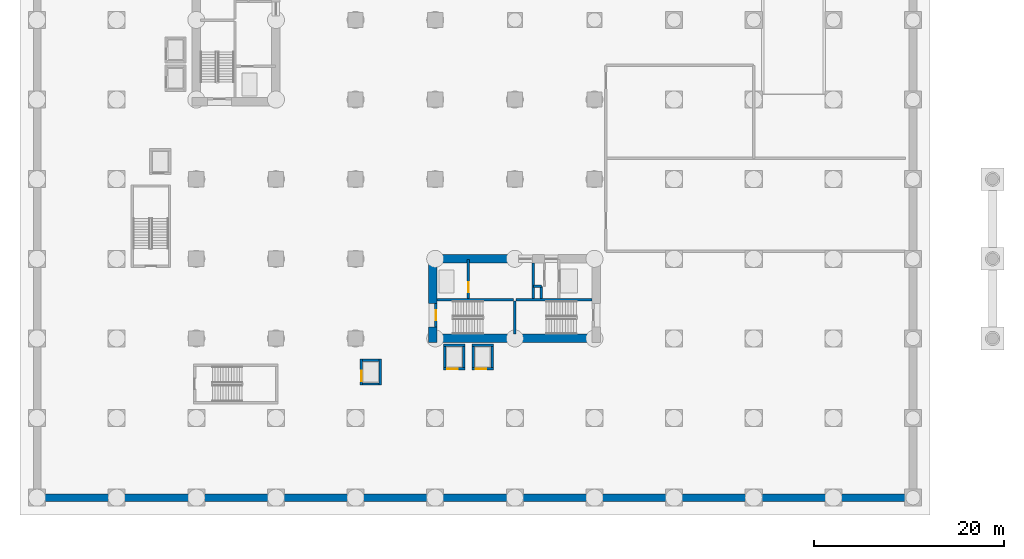
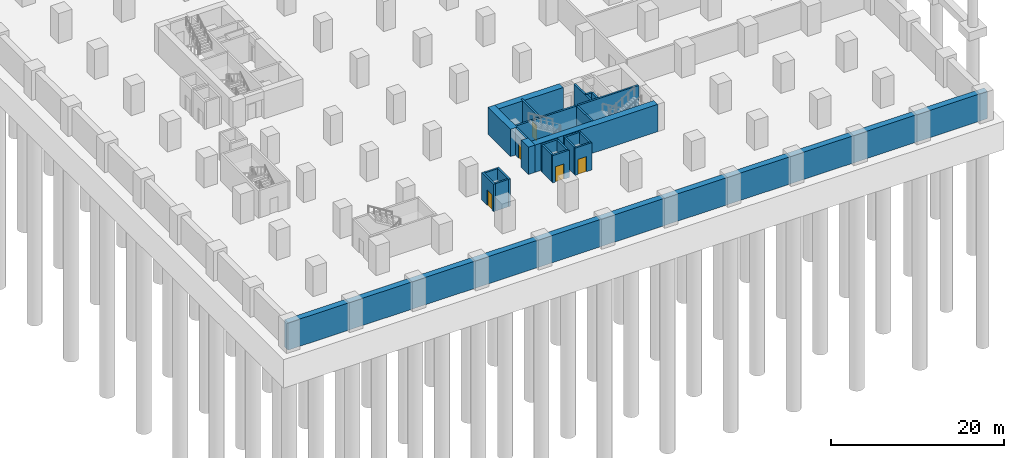
# One storey, part 4 of 12: 25 walls, 5 doors, 5 openings.
"""IFC4 building model written with IfcOpenShell, lengths in metres."""

from ifc_helpers import new_model, si_unit, direction, frame, frame_2d, origin, place, context, subcontext, project, spatial, rectangle, extrude, material, layer, layer_set, type_object, element, fill, save


model = new_model("IFC4")

# Units and contexts
model_context = context("Model", 3, precision=1e-05, world=origin(), true_north=direction((0.0, 1.0)))
body_context = subcontext(model_context, "Body", "Model", "MODEL_VIEW")
ifc_project = project(units=[si_unit("LENGTHUNIT", "METRE"), si_unit("AREAUNIT", "SQUARE_METRE"), si_unit("VOLUMEUNIT", "CUBIC_METRE"), si_unit("PLANEANGLEUNIT", "RADIAN"), si_unit("MASSUNIT", "GRAM", prefix="KILO")], contexts=[model_context])

# Site, building, storey
site_placement = place(None, origin())
site = spatial("IfcSite", under=ifc_project, at=site_placement, CompositionType="ELEMENT")
building_placement = place(site_placement, origin())
building = spatial("IfcBuilding", under=site, at=building_placement, Name="Koriwani Terraces Tower", CompositionType="ELEMENT")
storey_placement = place(building_placement, frame((0.0, 0.0, -8.39990234375)))
storey = spatial("IfcBuildingStorey", under=building, at=storey_placement, Name="B02", CompositionType="ELEMENT", Elevation=-8.39990234375)

# Walls
ifc_material_1 = material(Name="Concrete C50/60", Category="concrete")
ifc_layer_1 = layer(ifc_material_1, 0.800048828125, Name="Concrete C50/60")
ifc_layer_set_1 = layer_set([ifc_layer_1], Name="Concrete C50/60")
wall_type_1 = type_object("IfcWallType", Name="WALL_BASEMENT_RET_800", PredefinedType="USERDEFINED", material=ifc_layer_set_1)
wall_1_placement = place(storey_placement, frame((-0.39990234375, 0.0, 0.0), z_axis=(0.0, 0.0, 1.0), x_axis=(1.0, 0.0, 0.0)))
element("IfcWall", 1, at=wall_1_placement, inside=storey, type_object=wall_type_1, Name="B02 Perimeter Retaining Wall (S)", ObjectType="RETAININGWALL", PredefinedType="USERDEFINED", context=body_context, shape_type="SweptSolid", body=[
    extrude(rectangle(XDim=93.199951171875, YDim=0.800048828125, at=frame_2d((46.60009765625, 0.0))), origin(), (0.0, 0.0, 1.0), 3.849853515625),
])
ifc_material_2 = material(Name="Concrete C60/75", Category="concrete")
ifc_layer_2 = layer(ifc_material_2, 0.89990234375, Name="Concrete C60/75")
ifc_layer_set_2 = layer_set([ifc_layer_2], Name="Concrete C60/75")
wall_type_2 = type_object("IfcWallType", Name="WALL_CORE_RC_900", PredefinedType="SHEAR", material=ifc_layer_set_2)
wall_2_placement = place(storey_placement, frame((41.75, 16.35009765625, 0.0), z_axis=(0.0, 0.0, 1.0), x_axis=(0.0, 1.0, 0.0)))
element("IfcWall", 2, at=wall_2_placement, inside=storey, type_object=wall_type_2, Name="B02 East Split Core Shear Wall W1", PredefinedType="SHEAR", context=body_context, shape_type="SweptSolid", body=[
    extrude(rectangle(XDim=1.64990234375, YDim=0.89990234375, at=frame_2d((0.824951171875, 0.0))), origin(), (0.0, 0.0, 1.0), 3.849853515625),
])
wall_3_placement = place(storey_placement, frame((41.75, 20.5, 0.0), z_axis=(0.0, 0.0, 1.0), x_axis=(0.0, 1.0, 0.0)))
element("IfcWall", 3, at=wall_3_placement, inside=storey, type_object=wall_type_2, Name="B02 East Split Core Shear Wall W2", PredefinedType="SHEAR", context=body_context, shape_type="SweptSolid", body=[
    extrude(rectangle(XDim=5.14990234375, YDim=0.89990234375, at=frame_2d((2.574951171875, 0.0))), origin(), (0.0, 0.0, 1.0), 3.849853515625),
])
wall_4_placement = place(storey_placement, frame((42.199951171875, 16.800048828125, 0.0), z_axis=(0.0, 0.0, 1.0), x_axis=(1.0, 0.0, 0.0)))
element("IfcWall", 4, at=wall_4_placement, inside=storey, type_object=wall_type_2, Name="B02 East Split Core Shear Wall S1", PredefinedType="SHEAR", context=body_context, shape_type="SweptSolid", body=[
    extrude(rectangle(XDim=16.35009765625, YDim=0.89990234375, at=frame_2d((8.175048828125, 0.0))), origin(), (0.0, 0.0, 1.0), 3.849853515625),
])
wall_5_placement = place(storey_placement, frame((42.199951171875, 25.199951171875, 0.0), z_axis=(0.0, 0.0, 1.0), x_axis=(1.0, 0.0, 0.0)))
element("IfcWall", 5, at=wall_5_placement, inside=storey, type_object=wall_type_2, Name="B02 East Split Core Shear Wall N1", PredefinedType="SHEAR", context=body_context, shape_type="SweptSolid", body=[
    extrude(rectangle(XDim=8.60009765625, YDim=0.89990234375, at=frame_2d((4.300048828125, 0.0))), origin(), (0.0, 0.0, 1.0), 3.849853515625),
])
ifc_material_3 = material(Name="Concrete C40/50", Category="concrete")
ifc_layer_3 = layer(ifc_material_3, 0.25, Name="Concrete C40/50")
ifc_layer_set_3 = layer_set([ifc_layer_3], Name="Concrete C40/50")
wall_type_3 = type_object("IfcWallType", Name="WALL_SHAFT_RATED_250", PredefinedType="SOLIDWALL", material=ifc_layer_set_3)
for number, where, z_axis, x_axis, name in (
    (6, (42.199951171875, 20.875, 0.0), (0.0, 0.0, 1.0), (1.0, 0.0, 0.0), "B02 East Split Core Web Wall MID1"),
    (7, (50.5, 20.875, 0.0), (0.0, 0.0, 1.0), (1.0, 0.0, 0.0), "B02 East Split Core Web Wall MID2"),
):
    element("IfcWall", number, at=place(storey_placement, frame(where, z_axis=z_axis, x_axis=x_axis)), inside=storey, type_object=wall_type_3, Name=name, PredefinedType="SOLIDWALL", context=body_context, shape_type="SweptSolid", body=[
        extrude(rectangle(XDim=8.050048828125, YDim=0.25, at=frame_2d((4.02490234375, 0.0))), origin(), (0.0, 0.0, 1.0), 3.849853515625),
    ])
wall_6_placement = place(storey_placement, frame((50.375, 17.25, 0.0), z_axis=(0.0, 0.0, 1.0), x_axis=(0.0, 1.0, 0.0)))
element("IfcWall", 8, at=wall_6_placement, inside=storey, type_object=wall_type_3, Name="B02 East Split Core Stair Dividing Wall", PredefinedType="SOLIDWALL", context=body_context, shape_type="SweptSolid", body=[
    extrude(rectangle(XDim=3.5, YDim=0.25, at=frame_2d((1.75, 0.0))), origin(), (0.0, 0.0, 1.0), 3.849853515625),
])

# Wall, opening, door
wall_7_placement = place(storey_placement, frame((42.074951171875, 18.0, 0.0), z_axis=(0.0, 0.0, 1.0), x_axis=(0.0, 1.0, 0.0)))
wall_7 = element("IfcWall", 9, at=wall_7_placement, inside=storey, type_object=wall_type_3, Name="B02 Interior Wall WIN-CE-B02-STW", PredefinedType="SOLIDWALL", context=body_context, shape_type="SweptSolid", body=[
    extrude(rectangle(XDim=2.5, YDim=0.25, at=frame_2d((1.25, 0.0))), origin(), (0.0, 0.0, 1.0), 3.849853515625),
])
opening_1_placement = place(wall_7_placement, frame((0.699951171875, 0.0, 0.0)))
opening_1 = element("IfcOpeningElement", 10, at=opening_1_placement, cuts=wall_7, Name="Opening D-03", PredefinedType="OPENING", context=body_context, shape_type="SweptSolid", body=[
    extrude(rectangle(XDim=1.10009765625, YDim=2.14990234375, at=frame_2d((0.550048828125, 1.074951171875))), frame((0.0, 0.135009765625, 0.0), z_axis=(0.0, -1.0, 0.0), x_axis=(1.0, 0.0, 0.0)), (0.0, 0.0, 1.0), 0.27001953125),
])
ifc_material_4 = material(Name="Steel ASTM A572 Grade 50", Category="steel")
door_type_1 = type_object("IfcDoorType", Name="DOOR_STAIR_FIRE_1100X2150", OperationType="NOTDEFINED", PredefinedType="DOOR", material=ifc_material_4)
door_1_placement = place(opening_1_placement, origin())
door_1 = element("IfcDoor", 11, at=door_1_placement, inside=storey, type_object=door_type_1, Name="B02 Exit Stair ST-E1 Door", OperationType="SINGLE_SWING_LEFT", OverallHeight=2.14990234375, OverallWidth=1.10009765625, PredefinedType="DOOR", context=body_context, shape_type="SweptSolid", body=[
    extrude(rectangle(XDim=1.10009765625, YDim=2.14990234375, at=frame_2d((0.550048828125, 1.074951171875))), frame((0.0, 0.02490234375, 0.0), z_axis=(0.0, -1.0, 0.0), x_axis=(1.0, 0.0, 0.0)), (0.0, 0.0, 1.0), 0.050048828125),
])
fill(opening_1, door_1)

wall_8_placement = place(storey_placement, frame((45.5, 21.0, 0.0), z_axis=(0.0, 0.0, 1.0), x_axis=(0.0, 1.0, 0.0)))
wall_8 = element("IfcWall", 12, at=wall_8_placement, inside=storey, type_object=wall_type_3, Name="B02 Interior Wall WIN-CE-B02-FE", PredefinedType="SOLIDWALL", context=body_context, shape_type="SweptSolid", body=[
    extrude(rectangle(XDim=4.14990234375, YDim=0.25, at=frame_2d((2.074951171875, 0.0))), origin(), (0.0, 0.0, 1.0), 3.849853515625),
])
opening_2_placement = place(wall_8_placement, frame((0.64990234375, 0.0, 0.0)))
opening_2 = element("IfcOpeningElement", 13, at=opening_2_placement, cuts=wall_8, Name="Opening LD-01", PredefinedType="OPENING", context=body_context, shape_type="SweptSolid", body=[
    extrude(rectangle(XDim=1.10009765625, YDim=2.14990234375, at=frame_2d((0.550048828125, 1.074951171875))), frame((0.0, 0.135009765625, 0.0), z_axis=(0.0, -1.0, 0.0), x_axis=(1.0, 0.0, 0.0)), (0.0, 0.0, 1.0), 0.27001953125),
])
door_type_2 = type_object("IfcDoorType", Name="DOOR_LIFT_LANDING_1100X2200", OperationType="NOTDEFINED", PredefinedType="DOOR", material=ifc_material_4)
door_2_placement = place(opening_2_placement, origin())
door_2 = element("IfcDoor", 14, at=door_2_placement, inside=storey, type_object=door_type_2, Name="B02 Firefighting Lift FE-02 Landing Door", OperationType="SLIDING_TO_LEFT", OverallHeight=2.14990234375, OverallWidth=1.10009765625, PredefinedType="DOOR", context=body_context, shape_type="SweptSolid", body=[
    extrude(rectangle(XDim=1.10009765625, YDim=2.14990234375, at=frame_2d((0.550048828125, 1.074951171875))), frame((0.0, 0.02490234375, 0.0), z_axis=(0.0, -1.0, 0.0), x_axis=(1.0, 0.0, 0.0)), (0.0, 0.0, 1.0), 0.050048828125),
])
fill(opening_2, door_2)

# Walls
wall_9_placement = place(storey_placement, frame((52.340087890625, 21.0, 0.0), z_axis=(0.0, 0.0, 1.0), x_axis=(0.0, 1.0, 0.0)))
element("IfcWall", 15, at=wall_9_placement, inside=storey, type_object=wall_type_3, Name="B02 Interior Wall WIN-CE-B02-FFE", PredefinedType="SOLIDWALL", context=body_context, shape_type="SweptSolid", body=[
    extrude(rectangle(XDim=3.75, YDim=0.25, at=frame_2d((1.875, 0.0))), origin(), (0.0, 0.0, 1.0), 3.849853515625),
])
wall_10_placement = place(storey_placement, frame((53.199951171875, 21.0, 0.0), z_axis=(0.0, 0.0, 1.0), x_axis=(0.0, 1.0, 0.0)))
element("IfcWall", 16, at=wall_10_placement, inside=storey, type_object=wall_type_3, Name="B02 Interior Wall WIN-CE-B02-RS1", PredefinedType="SOLIDWALL", context=body_context, shape_type="SweptSolid", body=[
    extrude(rectangle(XDim=1.300048828125, YDim=0.25, at=frame_2d((0.64990234375, 0.0))), origin(), (0.0, 0.0, 1.0), 3.849853515625),
])
wall_11_placement = place(storey_placement, frame((52.360107421875, 22.300048828125, 0.0), z_axis=(0.0, 0.0, 1.0), x_axis=(1.0, 0.0, 0.0)))
element("IfcWall", 17, at=wall_11_placement, inside=storey, type_object=wall_type_3, Name="B02 Interior Wall WIN-CE-B02-RS2", PredefinedType="SOLIDWALL", context=body_context, shape_type="SweptSolid", body=[
    extrude(rectangle(XDim=0.83984375, YDim=0.25, at=frame_2d((0.419921875, 0.0))), origin(), (0.0, 0.0, 1.0), 3.849853515625),
])

# Wall, opening, door
wall_12_placement = place(storey_placement, frame((34.199951171875, 11.875, 0.0), z_axis=(0.0, 0.0, 1.0), x_axis=(0.0, 1.0, 0.0)))
wall_12 = element("IfcWall", 18, at=wall_12_placement, inside=storey, type_object=wall_type_3, Name="B02 Interior Wall WIN-LF-PE-P2-B02-F", PredefinedType="SOLIDWALL", context=body_context, shape_type="SweptSolid", body=[
    extrude(rectangle(XDim=2.75, YDim=0.25, at=frame_2d((1.375, 0.0))), origin(), (0.0, 0.0, 1.0), 3.849853515625),
])
opening_3_placement = place(wall_12_placement, frame((0.39990234375, 0.0, 0.0)))
opening_3 = element("IfcOpeningElement", 19, at=opening_3_placement, cuts=wall_12, Name="Opening LD-01", PredefinedType="OPENING", context=body_context, shape_type="SweptSolid", body=[
    extrude(rectangle(XDim=1.10009765625, YDim=2.14990234375, at=frame_2d((0.550048828125, 1.074951171875))), frame((0.0, 0.135009765625, 0.0), z_axis=(0.0, -1.0, 0.0), x_axis=(1.0, 0.0, 0.0)), (0.0, 0.0, 1.0), 0.27001953125),
])
door_3_placement = place(opening_3_placement, origin())
door_3 = element("IfcDoor", 20, at=door_3_placement, inside=storey, type_object=door_type_2, Name="B02 Passenger Lift PE-P2 Landing Door", OperationType="SLIDING_TO_LEFT", OverallHeight=2.14990234375, OverallWidth=1.10009765625, PredefinedType="DOOR", context=body_context, shape_type="SweptSolid", body=[
    extrude(rectangle(XDim=1.10009765625, YDim=2.14990234375, at=frame_2d((0.550048828125, 1.074951171875))), frame((0.0, 0.02490234375, 0.0), z_axis=(0.0, -1.0, 0.0), x_axis=(1.0, 0.0, 0.0)), (0.0, 0.0, 1.0), 0.050048828125),
])
fill(opening_3, door_3)

# Walls
wall_13_placement = place(storey_placement, frame((36.199951171875, 11.875, 0.0), z_axis=(0.0, 0.0, 1.0), x_axis=(0.0, 1.0, 0.0)))
element("IfcWall", 21, at=wall_13_placement, inside=storey, type_object=wall_type_3, Name="B02 Interior Wall WIN-LF-PE-P2-B02-B", PredefinedType="SOLIDWALL", context=body_context, shape_type="SweptSolid", body=[
    extrude(rectangle(XDim=2.75, YDim=0.25, at=frame_2d((1.375, 0.0))), origin(), (0.0, 0.0, 1.0), 3.849853515625),
])
for number, where, z_axis, x_axis, name in (
    (22, (34.324951171875, 12.0, 0.0), (0.0, 0.0, 1.0), (1.0, 0.0, 0.0), "B02 Interior Wall WIN-LF-PE-P2-B02-S"),
    (23, (34.324951171875, 14.5, 0.0), (0.0, 0.0, 1.0), (1.0, 0.0, 0.0), "B02 Interior Wall WIN-LF-PE-P2-B02-N"),
):
    element("IfcWall", number, at=place(storey_placement, frame(where, z_axis=z_axis, x_axis=x_axis)), inside=storey, type_object=wall_type_3, Name=name, PredefinedType="SOLIDWALL", context=body_context, shape_type="SweptSolid", body=[
        extrude(rectangle(XDim=1.75, YDim=0.25, at=frame_2d((0.875, 0.0))), origin(), (0.0, 0.0, 1.0), 3.849853515625),
    ])

# Wall, opening, door
wall_14_placement = place(storey_placement, frame((42.875, 13.60009765625, 0.0), z_axis=(0.0, 0.0, 1.0), x_axis=(1.0, 0.0, 0.0)))
wall_14 = element("IfcWall", 24, at=wall_14_placement, inside=storey, type_object=wall_type_3, Name="B02 Interior Wall WIN-LF-PE-L3-B02-F", PredefinedType="SOLIDWALL", context=body_context, shape_type="SweptSolid", body=[
    extrude(rectangle(XDim=2.25, YDim=0.25, at=frame_2d((1.125, 0.0))), origin(), (0.0, 0.0, 1.0), 3.849853515625),
])
opening_4_placement = place(wall_14_placement, frame((0.39990234375, 0.0, 0.0)))
opening_4 = element("IfcOpeningElement", 25, at=opening_4_placement, cuts=wall_14, Name="Opening LD-01", PredefinedType="OPENING", context=body_context, shape_type="SweptSolid", body=[
    extrude(rectangle(XDim=1.10009765625, YDim=2.14990234375, at=frame_2d((0.550048828125, 1.074951171875))), frame((0.0, 0.135009765625, 0.0), z_axis=(0.0, -1.0, 0.0), x_axis=(1.0, 0.0, 0.0)), (0.0, 0.0, 1.0), 0.27001953125),
])
door_4_placement = place(opening_4_placement, origin())
door_4 = element("IfcDoor", 26, at=door_4_placement, inside=storey, type_object=door_type_2, Name="B02 Passenger Lift PE-L3 Landing Door", OperationType="SLIDING_TO_LEFT", OverallHeight=2.14990234375, OverallWidth=1.10009765625, PredefinedType="DOOR", context=body_context, shape_type="SweptSolid", body=[
    extrude(rectangle(XDim=1.10009765625, YDim=2.14990234375, at=frame_2d((0.550048828125, 1.074951171875))), frame((0.0, 0.02490234375, 0.0), z_axis=(0.0, -1.0, 0.0), x_axis=(1.0, 0.0, 0.0)), (0.0, 0.0, 1.0), 0.050048828125),
])
fill(opening_4, door_4)

# Walls
for number, where, z_axis, x_axis, name in (
    (27, (42.875, 16.10009765625, 0.0), (0.0, 0.0, 1.0), (1.0, 0.0, 0.0), "B02 Interior Wall WIN-LF-PE-L3-B02-B"),
    (28, (43.0, 13.72509765625, 0.0), (0.0, 0.0, 1.0), (0.0, 1.0, 0.0), "B02 Interior Wall WIN-LF-PE-L3-B02-W"),
    (29, (45.0, 13.72509765625, 0.0), (0.0, 0.0, 1.0), (0.0, 1.0, 0.0), "B02 Interior Wall WIN-LF-PE-L3-B02-E"),
):
    element("IfcWall", number, at=place(storey_placement, frame(where, z_axis=z_axis, x_axis=x_axis)), inside=storey, type_object=wall_type_3, Name=name, PredefinedType="SOLIDWALL", context=body_context, shape_type="SweptSolid", body=[
        extrude(rectangle(XDim=2.25, YDim=0.25, at=frame_2d((1.125, 0.0))), origin(), (0.0, 0.0, 1.0), 3.849853515625),
    ])

# Wall, opening, door
wall_15_placement = place(storey_placement, frame((45.875, 13.60009765625, 0.0), z_axis=(0.0, 0.0, 1.0), x_axis=(1.0, 0.0, 0.0)))
wall_15 = element("IfcWall", 30, at=wall_15_placement, inside=storey, type_object=wall_type_3, Name="B02 Interior Wall WIN-LF-PE-L4-B02-F", PredefinedType="SOLIDWALL", context=body_context, shape_type="SweptSolid", body=[
    extrude(rectangle(XDim=2.25, YDim=0.25, at=frame_2d((1.125, 0.0))), origin(), (0.0, 0.0, 1.0), 3.849853515625),
])
opening_5_placement = place(wall_15_placement, frame((0.39990234375, 0.0, 0.0)))
opening_5 = element("IfcOpeningElement", 31, at=opening_5_placement, cuts=wall_15, Name="Opening LD-01", PredefinedType="OPENING", context=body_context, shape_type="SweptSolid", body=[
    extrude(rectangle(XDim=1.10009765625, YDim=2.14990234375, at=frame_2d((0.550048828125, 1.074951171875))), frame((0.0, 0.135009765625, 0.0), z_axis=(0.0, -1.0, 0.0), x_axis=(1.0, 0.0, 0.0)), (0.0, 0.0, 1.0), 0.27001953125),
])
door_5_placement = place(opening_5_placement, origin())
door_5 = element("IfcDoor", 32, at=door_5_placement, inside=storey, type_object=door_type_2, Name="B02 Passenger Lift PE-L4 Landing Door", OperationType="SLIDING_TO_LEFT", OverallHeight=2.14990234375, OverallWidth=1.10009765625, PredefinedType="DOOR", context=body_context, shape_type="SweptSolid", body=[
    extrude(rectangle(XDim=1.10009765625, YDim=2.14990234375, at=frame_2d((0.550048828125, 1.074951171875))), frame((0.0, 0.02490234375, 0.0), z_axis=(0.0, -1.0, 0.0), x_axis=(1.0, 0.0, 0.0)), (0.0, 0.0, 1.0), 0.050048828125),
])
fill(opening_5, door_5)

# Walls
for number, where, z_axis, x_axis, name in (
    (33, (45.875, 16.10009765625, 0.0), (0.0, 0.0, 1.0), (1.0, 0.0, 0.0), "B02 Interior Wall WIN-LF-PE-L4-B02-B"),
    (34, (46.0, 13.72509765625, 0.0), (0.0, 0.0, 1.0), (0.0, 1.0, 0.0), "B02 Interior Wall WIN-LF-PE-L4-B02-W"),
    (35, (48.0, 13.72509765625, 0.0), (0.0, 0.0, 1.0), (0.0, 1.0, 0.0), "B02 Interior Wall WIN-LF-PE-L4-B02-E"),
):
    element("IfcWall", number, at=place(storey_placement, frame(where, z_axis=z_axis, x_axis=x_axis)), inside=storey, type_object=wall_type_3, Name=name, PredefinedType="SOLIDWALL", context=body_context, shape_type="SweptSolid", body=[
        extrude(rectangle(XDim=2.25, YDim=0.25, at=frame_2d((1.125, 0.0))), origin(), (0.0, 0.0, 1.0), 3.849853515625),
    ])

save(model, "model.ifc")
